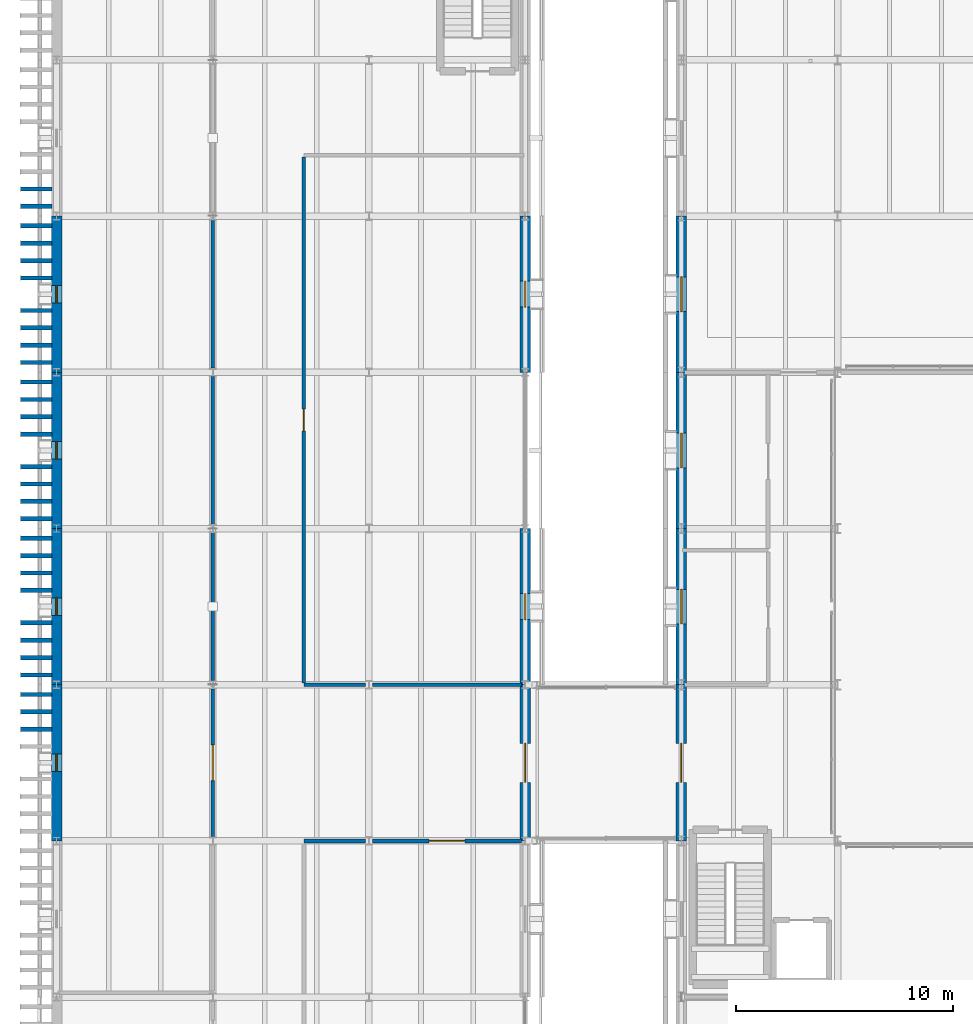
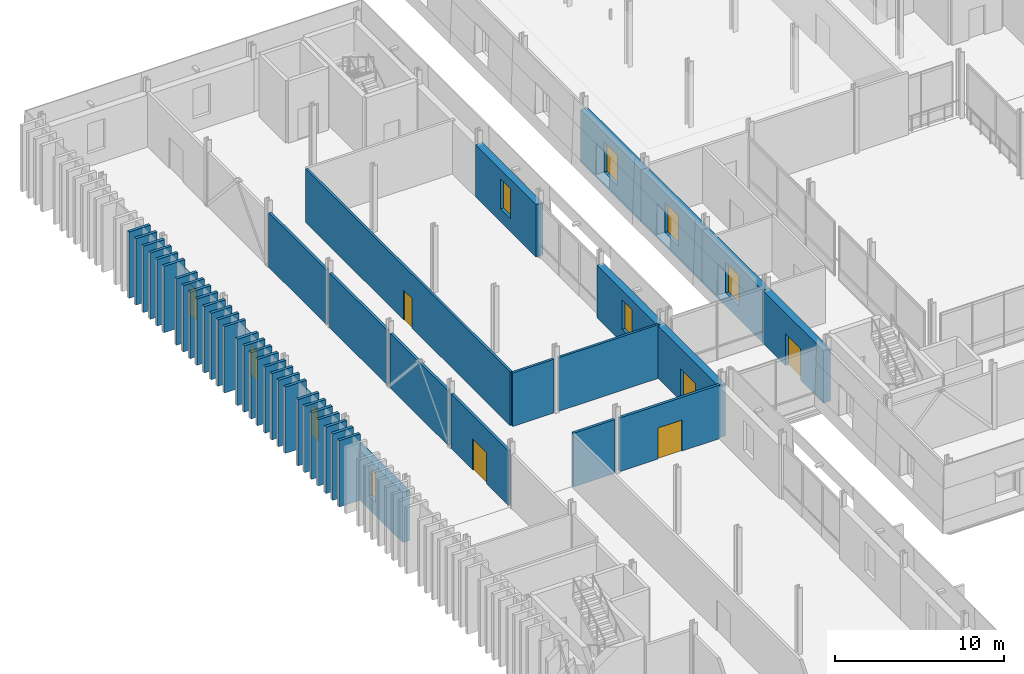
# One storey, part 80 of 121: 49 walls, 9 windows, 5 doors, 14 openings.
"""IFC4 building model written with IfcOpenShell, lengths in metres."""

from ifc_helpers import new_model, si_unit, direction, frame, frame_2d, origin, place, context, subcontext, project, spatial, rectangle, extrude, material, layer, layer_set, type_object, element, fill, save


model = new_model("IFC4")

# Units and contexts
model_context = context("Model", 3, precision=1e-05, world=origin(), true_north=direction((0.0, 1.0)))
body_context = subcontext(model_context, "Body", "Model", "MODEL_VIEW")
ifc_project = project(units=[si_unit("LENGTHUNIT", "METRE"), si_unit("AREAUNIT", "SQUARE_METRE"), si_unit("VOLUMEUNIT", "CUBIC_METRE"), si_unit("PLANEANGLEUNIT", "RADIAN"), si_unit("MASSUNIT", "GRAM", prefix="KILO")], contexts=[model_context])

# Site, building, storey
site_placement = place(None, origin())
site = spatial("IfcSite", under=ifc_project, at=site_placement, CompositionType="ELEMENT")
building_placement = place(site_placement, origin())
building = spatial("IfcBuilding", under=site, at=building_placement, Name="Narikvali Park Central Library", CompositionType="ELEMENT")
storey_placement = place(building_placement, frame((0.0, 0.0, 5.39990234375)))
storey = spatial("IfcBuildingStorey", under=building, at=storey_placement, Name="L01", CompositionType="ELEMENT", Elevation=5.39990234375)

# Walls
ifc_material_1 = material(Name="Kiln-Fired Terracotta Red Brick Masonry", Category="masonry")
ifc_layer_1 = layer(ifc_material_1, 0.199951171875, Name="Kiln-Fired Terracotta Red Brick Masonry")
ifc_layer_set_1 = layer_set([ifc_layer_1], Name="Kiln-Fired Terracotta Red Brick Masonry")
wall_type_1 = type_object("IfcWallType", Name="Kiln-Fired Red Brick Vertical Fin Wall 200", PredefinedType="SOLIDWALL", material=ifc_layer_set_1)
for number, where, z_axis, x_axis, name in (
    (1, (-1.659912109375, 69.949951171875, 0.0), (0.0, 0.0, 1.0), (1.0, 0.0, 0.0), "West Stacks Red Brick Vertical Fin Pier 248"),
    (2, (-1.659912109375, 70.75, 0.0), (0.0, 0.0, 1.0), (1.0, 0.0, 0.0), "West Stacks Red Brick Vertical Fin Pier 254"),
    (3, (-1.659912109375, 71.550048828125, 0.0), (0.0, 0.0, 1.0), (1.0, 0.0, 0.0), "West Stacks Red Brick Vertical Fin Pier 260"),
    (4, (-1.659912109375, 72.449951171875, 0.0), (0.0, 0.0, 1.0), (1.0, 0.0, 0.0), "West Stacks Red Brick Vertical Fin Pier 266"),
    (5, (-1.659912109375, 73.25, 0.0), (0.0, 0.0, 1.0), (1.0, 0.0, 0.0), "West Stacks Red Brick Vertical Fin Pier 272"),
    (6, (-1.659912109375, 74.050048828125, 0.0), (0.0, 0.0, 1.0), (1.0, 0.0, 0.0), "West Stacks Red Brick Vertical Fin Pier 278"),
    (7, (-1.659912109375, 74.85009765625, 0.0), (0.0, 0.0, 1.0), (1.0, 0.0, 0.0), "West Stacks Red Brick Vertical Fin Pier 284"),
    (8, (-1.659912109375, 76.35009765625, 0.0), (0.0, 0.0, 1.0), (1.0, 0.0, 0.0), "West Stacks Red Brick Vertical Fin Pier 290"),
    (9, (-1.659912109375, 77.14990234375, 0.0), (0.0, 0.0, 1.0), (1.0, 0.0, 0.0), "West Stacks Red Brick Vertical Fin Pier 296"),
    (10, (-1.659912109375, 77.949951171875, 0.0), (0.0, 0.0, 1.0), (1.0, 0.0, 0.0), "West Stacks Red Brick Vertical Fin Pier 302"),
    (11, (-1.659912109375, 78.75, 0.0), (0.0, 0.0, 1.0), (1.0, 0.0, 0.0), "West Stacks Red Brick Vertical Fin Pier 308"),
    (12, (-1.659912109375, 79.64990234375, 0.0), (0.0, 0.0, 1.0), (1.0, 0.0, 0.0), "West Stacks Red Brick Vertical Fin Pier 314"),
    (13, (-1.659912109375, 80.449951171875, 0.0), (0.0, 0.0, 1.0), (1.0, 0.0, 0.0), "West Stacks Red Brick Vertical Fin Pier 320"),
    (14, (-1.659912109375, 81.25, 0.0), (0.0, 0.0, 1.0), (1.0, 0.0, 0.0), "West Stacks Red Brick Vertical Fin Pier 326"),
    (15, (-1.659912109375, 82.050048828125, 0.0), (0.0, 0.0, 1.0), (1.0, 0.0, 0.0), "West Stacks Red Brick Vertical Fin Pier 332"),
    (16, (-1.659912109375, 83.550048828125, 0.0), (0.0, 0.0, 1.0), (1.0, 0.0, 0.0), "West Stacks Red Brick Vertical Fin Pier 338"),
    (17, (-1.659912109375, 84.35009765625, 0.0), (0.0, 0.0, 1.0), (1.0, 0.0, 0.0), "West Stacks Red Brick Vertical Fin Pier 344"),
    (18, (-1.659912109375, 85.14990234375, 0.0), (0.0, 0.0, 1.0), (1.0, 0.0, 0.0), "West Stacks Red Brick Vertical Fin Pier 350"),
    (19, (-1.659912109375, 85.949951171875, 0.0), (0.0, 0.0, 1.0), (1.0, 0.0, 0.0), "West Stacks Red Brick Vertical Fin Pier 356"),
    (20, (-1.659912109375, 86.85009765625, 0.0), (0.0, 0.0, 1.0), (1.0, 0.0, 0.0), "West Stacks Red Brick Vertical Fin Pier 362"),
    (21, (-1.659912109375, 87.64990234375, 0.0), (0.0, 0.0, 1.0), (1.0, 0.0, 0.0), "West Stacks Red Brick Vertical Fin Pier 368"),
    (22, (-1.659912109375, 88.449951171875, 0.0), (0.0, 0.0, 1.0), (1.0, 0.0, 0.0), "West Stacks Red Brick Vertical Fin Pier 374"),
    (23, (-1.659912109375, 89.25, 0.0), (0.0, 0.0, 1.0), (1.0, 0.0, 0.0), "West Stacks Red Brick Vertical Fin Pier 380"),
    (24, (-1.659912109375, 90.75, 0.0), (0.0, 0.0, 1.0), (1.0, 0.0, 0.0), "West Stacks Red Brick Vertical Fin Pier 386"),
    (25, (-1.659912109375, 91.550048828125, 0.0), (0.0, 0.0, 1.0), (1.0, 0.0, 0.0), "West Stacks Red Brick Vertical Fin Pier 392"),
    (26, (-1.659912109375, 92.35009765625, 0.0), (0.0, 0.0, 1.0), (1.0, 0.0, 0.0), "West Stacks Red Brick Vertical Fin Pier 398"),
    (27, (-1.659912109375, 93.14990234375, 0.0), (0.0, 0.0, 1.0), (1.0, 0.0, 0.0), "West Stacks Red Brick Vertical Fin Pier 404"),
    (28, (-1.659912109375, 94.050048828125, 0.0), (0.0, 0.0, 1.0), (1.0, 0.0, 0.0), "West Stacks Red Brick Vertical Fin Pier 410"),
    (29, (-1.659912109375, 94.85009765625, 0.0), (0.0, 0.0, 1.0), (1.0, 0.0, 0.0), "West Stacks Red Brick Vertical Fin Pier 416"),
):
    element("IfcWall", number, at=place(storey_placement, frame(where, z_axis=z_axis, x_axis=x_axis)), inside=storey, type_object=wall_type_1, Name=name, PredefinedType="SOLIDWALL", context=body_context, shape_type="SweptSolid", body=[
        extrude(rectangle(XDim=1.43994140625, YDim=0.199951171875, at=frame_2d((0.719970703125, 0.0))), origin(), (0.0, 0.0, 1.0), 4.800048828125),
    ])
ifc_material_2 = material(Name="Acoustic Gypsum on Steel Studs", Category="steel")
ifc_layer_2 = layer(ifc_material_2, 0.179931640625, Name="Acoustic Gypsum on Steel Studs")
ifc_layer_set_2 = layer_set([ifc_layer_2], Name="Acoustic Gypsum on Steel Studs")
wall_type_2 = type_object("IfcWallType", Name="Reading Room Acoustic Partition 180", PredefinedType="PARTITIONING", material=ifc_layer_set_2)
wall_1_placement = place(storey_placement, frame((11.39990234375, 64.800048828125, 0.0), z_axis=(0.0, 0.0, 1.0), x_axis=(1.0, 0.0, 0.0)))
element("IfcWall", 30, at=wall_1_placement, inside=storey, type_object=wall_type_2, Name="General Collection Open Book Stacks L01 Partition N", PredefinedType="PARTITIONING", context=body_context, shape_type="SweptSolid", body=[
    extrude(rectangle(XDim=2.841552734375, YDim=0.179931640625, at=frame_2d((1.4208984375, 0.0))), origin(), (0.0, 0.0, 1.0), 3.885009765625),
])

# Wall, opening, door
wall_2_placement = place(storey_placement, frame((14.55859375, 64.800048828125, 0.0), z_axis=(0.0, 0.0, 1.0), x_axis=(1.0, 0.0, 0.0)))
wall_2 = element("IfcWall", 31, at=wall_2_placement, inside=storey, type_object=wall_type_2, Name="General Collection Open Book Stacks L01 Partition N", PredefinedType="PARTITIONING", context=body_context, shape_type="SweptSolid", body=[
    extrude(rectangle(XDim=6.8828125, YDim=0.179931640625, at=frame_2d((3.44140625, 0.0))), origin(), (0.0, 0.0, 1.0), 3.885009765625),
])
opening_1_placement = place(wall_2_placement, frame((2.616455078125, 0.0, 0.0)))
opening_1 = element("IfcOpeningElement", 32, at=opening_1_placement, cuts=wall_2, Name="Opening ID-0120", PredefinedType="OPENING", context=body_context, shape_type="SweptSolid", body=[
    extrude(rectangle(XDim=1.64990234375, YDim=2.25, at=frame_2d((0.824951171875, 1.125))), frame((0.0, 0.10205078125, 0.0), z_axis=(0.0, -1.0, 0.0), x_axis=(1.0, 0.0, 0.0)), (0.0, 0.0, 1.0), 0.203857421875),
])
ifc_material_3 = material(Name="Caucasian Oak and Tempered Glass", Category="glass")
door_type_1 = type_object("IfcDoorType", Name="Open Stacks Double Glazed Door 1650x2250", OperationType="DOUBLE_DOOR_SINGLE_SWING", PredefinedType="DOOR", material=ifc_material_3)
door_1_placement = place(opening_1_placement, frame((1.64990234375, 0.0, 0.0), z_axis=(0.0, 0.0, 1.0), x_axis=(-1.0, 0.0, 0.0)))
door_1 = element("IfcDoor", 33, at=door_1_placement, inside=storey, type_object=door_type_1, Name="General Collection Open Book Stacks L01 Door ID-0120", OperationType="DOUBLE_DOOR_SINGLE_SWING", OverallHeight=2.25, OverallWidth=1.64990234375, PredefinedType="DOOR", context=body_context, shape_type="SweptSolid", body=[
    extrude(rectangle(XDim=1.64990234375, YDim=2.25, at=frame_2d((0.824951171875, 1.125))), frame((0.0, 0.02490234375, 0.0), z_axis=(0.0, -1.0, 0.0), x_axis=(1.0, 0.0, 0.0)), (0.0, 0.0, 1.0), 0.050048828125),
])
fill(opening_1, door_1)

wall_3_placement = place(storey_placement, frame((7.199951171875, 64.992431640625, 0.0), z_axis=(0.0, 0.0, 1.0), x_axis=(0.0, 1.0, 0.0)))
wall_3 = element("IfcWall", 34, at=wall_3_placement, inside=storey, type_object=wall_type_2, Name="Caucasus History Open Stacks L01 Partition E", PredefinedType="PARTITIONING", context=body_context, shape_type="SweptSolid", body=[
    extrude(rectangle(XDim=6.815185546875, YDim=0.179931640625, at=frame_2d((3.40771484375, 0.0))), origin(), (0.0, 0.0, 1.0), 3.945068359375),
])
opening_2_placement = place(wall_3_placement, frame((2.58251953125, 0.0, 0.0)))
opening_2 = element("IfcOpeningElement", 35, at=opening_2_placement, cuts=wall_3, Name="Opening ID-0122", PredefinedType="OPENING", context=body_context, shape_type="SweptSolid", body=[
    extrude(rectangle(XDim=1.64990234375, YDim=2.25, at=frame_2d((0.824951171875, 1.125))), frame((0.0, 0.10205078125, 0.0), z_axis=(0.0, -1.0, 0.0), x_axis=(1.0, 0.0, 0.0)), (0.0, 0.0, 1.0), 0.203857421875),
])
door_2_placement = place(opening_2_placement, origin())
door_2 = element("IfcDoor", 36, at=door_2_placement, inside=storey, type_object=door_type_1, Name="Caucasus History Open Stacks L01 Door ID-0122", OperationType="DOUBLE_DOOR_SINGLE_SWING", OverallHeight=2.25, OverallWidth=1.64990234375, PredefinedType="DOOR", context=body_context, shape_type="SweptSolid", body=[
    extrude(rectangle(XDim=1.64990234375, YDim=2.25, at=frame_2d((0.824951171875, 1.125))), frame((0.0, 0.02490234375, 0.0), z_axis=(0.0, -1.0, 0.0), x_axis=(1.0, 0.0, 0.0)), (0.0, 0.0, 1.0), 0.050048828125),
])
fill(opening_2, door_2)

# Walls
wall_4_placement = place(storey_placement, frame((7.199951171875, 72.1923828125, 0.0), z_axis=(0.0, 0.0, 1.0), x_axis=(0.0, 1.0, 0.0)))
element("IfcWall", 37, at=wall_4_placement, inside=storey, type_object=wall_type_2, Name="Caucasus History Open Stacks L01 Partition E", PredefinedType="PARTITIONING", context=body_context, shape_type="SweptSolid", body=[
    extrude(rectangle(XDim=6.815185546875, YDim=0.179931640625, at=frame_2d((3.40771484375, 0.0))), origin(), (0.0, 0.0, 1.0), 3.945068359375),
])
for number, where, z_axis, x_axis, name in (
    (38, (7.199951171875, 79.392578125, 0.0), (0.0, 0.0, 1.0), (0.0, 1.0, 0.0), "Caucasus History Open Stacks L01 Partition E"),
    (39, (7.199951171875, 86.592529296875, 0.0), (0.0, 0.0, 1.0), (0.0, 1.0, 0.0), "Caucasus History Open Stacks L01 Partition E"),
):
    element("IfcWall", number, at=place(storey_placement, frame(where, z_axis=z_axis, x_axis=x_axis)), inside=storey, type_object=wall_type_2, Name=name, PredefinedType="PARTITIONING", context=body_context, shape_type="SweptSolid", body=[
        extrude(rectangle(XDim=6.81494140625, YDim=0.179931640625, at=frame_2d((3.407470703125, 0.0))), origin(), (0.0, 0.0, 1.0), 3.945068359375),
    ])
ifc_material_4 = material(Name="Gypsum Board on Galvanised Steel Studs", Category="steel")
ifc_layer_3 = layer(ifc_material_4, 0.159912109375, Name="Gypsum Board on Galvanised Steel Studs")
ifc_layer_set_3 = layer_set([ifc_layer_3], Name="Gypsum Board on Galvanised Steel Studs")
wall_type_3 = type_object("IfcWallType", Name="Study Room Partition Wall 160", PredefinedType="PARTITIONING", material=ifc_layer_set_3)
wall_5_placement = place(storey_placement, frame((11.39990234375, 72.0, 0.0), z_axis=(0.0, 0.0, 1.0), x_axis=(1.0, 0.0, 0.0)))
element("IfcWall", 40, at=wall_5_placement, inside=storey, type_object=wall_type_3, Name="Quiet Study Carrels L01 Partition S", PredefinedType="PARTITIONING", context=body_context, shape_type="SweptSolid", body=[
    extrude(rectangle(XDim=2.841552734375, YDim=0.159912109375, at=frame_2d((1.4208984375, 0.0))), origin(), (0.0, 0.0, 1.0), 3.885009765625),
])
wall_6_placement = place(storey_placement, frame((14.55859375, 72.0, 0.0), z_axis=(0.0, 0.0, 1.0), x_axis=(1.0, 0.0, 0.0)))
element("IfcWall", 41, at=wall_6_placement, inside=storey, type_object=wall_type_3, Name="Quiet Study Carrels L01 Partition S", PredefinedType="PARTITIONING", context=body_context, shape_type="SweptSolid", body=[
    extrude(rectangle(XDim=6.8828125, YDim=0.159912109375, at=frame_2d((3.44140625, 0.0))), origin(), (0.0, 0.0, 1.0), 3.885009765625),
])

# Wall, opening, door
wall_7_placement = place(storey_placement, frame((11.39990234375, 72.08203125, 0.0), z_axis=(0.0, 0.0, 1.0), x_axis=(0.0, 1.0, 0.0)))
wall_7 = element("IfcWall", 42, at=wall_7_placement, inside=storey, type_object=wall_type_3, Name="Quiet Study Carrels L01 Partition W", PredefinedType="PARTITIONING", context=body_context, shape_type="SweptSolid", body=[
    extrude(rectangle(XDim=24.236083984375, YDim=0.159912109375, at=frame_2d((12.1181640625, 0.0))), origin(), (0.0, 0.0, 1.0), 3.885009765625),
])
opening_3_placement = place(wall_7_placement, frame((11.617919921875, 0.0, 0.0)))
opening_3 = element("IfcOpeningElement", 43, at=opening_3_placement, cuts=wall_7, Name="Opening ID-0117", PredefinedType="OPENING", context=body_context, shape_type="SweptSolid", body=[
    extrude(rectangle(XDim=1.0, YDim=2.14990234375, at=frame_2d((0.5, 1.074951171875))), frame((0.0, 0.091796875, 0.0), z_axis=(0.0, -1.0, 0.0), x_axis=(1.0, 0.0, 0.0)), (0.0, 0.0, 1.0), 0.183837890625),
])
ifc_material_5 = material(Name="Solid Caucasian Oak")
door_type_2 = type_object("IfcDoorType", Name="Study Room Single Oak Door 1000x2150", OperationType="SINGLE_SWING_LEFT", PredefinedType="DOOR", material=ifc_material_5)
door_3_placement = place(opening_3_placement, frame((1.0, 0.0, 0.0), z_axis=(0.0, 0.0, 1.0), x_axis=(-1.0, 0.0, 0.0)))
door_3 = element("IfcDoor", 44, at=door_3_placement, inside=storey, type_object=door_type_2, Name="Quiet Study Carrels L01 Door ID-0117", OperationType="SINGLE_SWING_LEFT", OverallHeight=2.14990234375, OverallWidth=1.0, PredefinedType="DOOR", context=body_context, shape_type="SweptSolid", body=[
    extrude(rectangle(XDim=1.0, YDim=2.14990234375, at=frame_2d((0.5, 1.074951171875))), frame((0.0, 0.02490234375, 0.0), z_axis=(0.0, -1.0, 0.0), x_axis=(1.0, 0.0, 0.0)), (0.0, 0.0, 1.0), 0.050048828125),
])
fill(opening_3, door_3)

# Wall, opening, window
ifc_material_6 = material(Name="White Honed Limestone over Concrete C35/45", Category="masonry")
ifc_layer_4 = layer(ifc_material_6, 0.47998046875, Name="White Honed Limestone over Concrete C35/45")
ifc_layer_set_4 = layer_set([ifc_layer_4], Name="White Honed Limestone over Concrete C35/45")
wall_type_4 = type_object("IfcWallType", Name="White Limestone Battered Tier1 Wall 480", PredefinedType="SOLIDWALL", material=ifc_layer_set_4)
wall_8_placement = place(storey_placement, frame((28.800048828125, 93.60009765625, 0.0), z_axis=(0.0, 0.0, 1.0), x_axis=(0.0, -1.0, 0.0)))
wall_8 = element("IfcWall", 45, at=wall_8_placement, inside=storey, type_object=wall_type_4, Name="V4 L01 W Exterior Limestone Wall B04", PredefinedType="SOLIDWALL", context=body_context, shape_type="SweptSolid", body=[
    extrude(rectangle(XDim=7.2001953125, YDim=0.47998046875, at=frame_2d((3.60009765625, 0.0))), origin(), (0.0, 0.0, 1.0), 3.800048828125),
])
opening_4_placement = place(wall_8_placement, frame((2.800048828125, 0.0, 0.949951171875)))
opening_4 = element("IfcOpeningElement", 46, at=opening_4_placement, cuts=wall_8, Name="Opening WIN-0159", PredefinedType="OPENING", context=body_context, shape_type="SweptSolid", body=[
    extrude(rectangle(XDim=1.60009765625, YDim=2.199951171875, at=frame_2d((0.800048828125, 1.10009765625))), frame((0.0, 0.251953125, 0.0), z_axis=(0.0, -1.0, 0.0), x_axis=(1.0, 0.0, 0.0)), (0.0, 0.0, 1.0), 0.50390625),
])
ifc_material_7 = material(Name="Anodised Bronze Aluminium and Low-E Triple Glazing", Category="aluminium")
window_type_1 = type_object("IfcWindowType", Name="Atrium Reading Wing Classical Window 1600x2200", PartitioningType="DOUBLE_PANEL_VERTICAL", PredefinedType="WINDOW", material=ifc_material_7)
window_1_placement = place(opening_4_placement, origin())
window_1 = element("IfcWindow", 47, at=window_1_placement, inside=storey, type_object=window_type_1, Name="V4 L01 W Deep-Reveal Window WIN-0159", OverallHeight=2.199951171875, OverallWidth=1.60009765625, PartitioningType="SINGLE_PANEL", PredefinedType="WINDOW", context=body_context, shape_type="SweptSolid", body=[
    extrude(rectangle(XDim=1.60009765625, YDim=2.199951171875, at=frame_2d((0.800048828125, 1.10009765625))), frame((0.0, 0.030029296875, 0.0), z_axis=(0.0, -1.0, 0.0), x_axis=(1.0, 0.0, 0.0)), (0.0, 0.0, 1.0), 0.06005859375),
])
fill(opening_4, window_1)

wall_9_placement = place(storey_placement, frame((28.800048828125, 86.39990234375, 0.0), z_axis=(0.0, 0.0, 1.0), x_axis=(0.0, -1.0, 0.0)))
wall_9 = element("IfcWall", 48, at=wall_9_placement, inside=storey, type_object=wall_type_4, Name="V4 L01 W Exterior Limestone Wall B05", PredefinedType="SOLIDWALL", context=body_context, shape_type="SweptSolid", body=[
    extrude(rectangle(XDim=7.199951171875, YDim=0.47998046875, at=frame_2d((3.60009765625, 0.0))), origin(), (0.0, 0.0, 1.0), 3.800048828125),
])
opening_5_placement = place(wall_9_placement, frame((2.800048828125, 0.0, 0.949951171875)))
opening_5 = element("IfcOpeningElement", 49, at=opening_5_placement, cuts=wall_9, Name="Opening WIN-0160", PredefinedType="OPENING", context=body_context, shape_type="SweptSolid", body=[
    extrude(rectangle(XDim=1.60009765625, YDim=2.199951171875, at=frame_2d((0.800048828125, 1.10009765625))), frame((0.0, 0.251953125, 0.0), z_axis=(0.0, -1.0, 0.0), x_axis=(1.0, 0.0, 0.0)), (0.0, 0.0, 1.0), 0.50390625),
])
window_2_placement = place(opening_5_placement, origin())
window_2 = element("IfcWindow", 50, at=window_2_placement, inside=storey, type_object=window_type_1, Name="V4 L01 W Deep-Reveal Window WIN-0160", OverallHeight=2.199951171875, OverallWidth=1.60009765625, PartitioningType="SINGLE_PANEL", PredefinedType="WINDOW", context=body_context, shape_type="SweptSolid", body=[
    extrude(rectangle(XDim=1.60009765625, YDim=2.199951171875, at=frame_2d((0.800048828125, 1.10009765625))), frame((0.0, 0.030029296875, 0.0), z_axis=(0.0, -1.0, 0.0), x_axis=(1.0, 0.0, 0.0)), (0.0, 0.0, 1.0), 0.06005859375),
])
fill(opening_5, window_2)

wall_10_placement = place(storey_placement, frame((28.800048828125, 79.199951171875, 0.0), z_axis=(0.0, 0.0, 1.0), x_axis=(0.0, -1.0, 0.0)))
wall_10 = element("IfcWall", 51, at=wall_10_placement, inside=storey, type_object=wall_type_4, Name="V4 L01 W Exterior Limestone Wall B06", PredefinedType="SOLIDWALL", context=body_context, shape_type="SweptSolid", body=[
    extrude(rectangle(XDim=7.199951171875, YDim=0.47998046875, at=frame_2d((3.60009765625, 0.0))), origin(), (0.0, 0.0, 1.0), 3.800048828125),
])
opening_6_placement = place(wall_10_placement, frame((2.800048828125, 0.0, 0.949951171875)))
opening_6 = element("IfcOpeningElement", 52, at=opening_6_placement, cuts=wall_10, Name="Opening WIN-0161", PredefinedType="OPENING", context=body_context, shape_type="SweptSolid", body=[
    extrude(rectangle(XDim=1.60009765625, YDim=2.199951171875, at=frame_2d((0.800048828125, 1.10009765625))), frame((0.0, 0.251953125, 0.0), z_axis=(0.0, -1.0, 0.0), x_axis=(1.0, 0.0, 0.0)), (0.0, 0.0, 1.0), 0.50390625),
])
window_3_placement = place(opening_6_placement, origin())
window_3 = element("IfcWindow", 53, at=window_3_placement, inside=storey, type_object=window_type_1, Name="V4 L01 W Deep-Reveal Window WIN-0161", OverallHeight=2.199951171875, OverallWidth=1.60009765625, PartitioningType="SINGLE_PANEL", PredefinedType="WINDOW", context=body_context, shape_type="SweptSolid", body=[
    extrude(rectangle(XDim=1.60009765625, YDim=2.199951171875, at=frame_2d((0.800048828125, 1.10009765625))), frame((0.0, 0.030029296875, 0.0), z_axis=(0.0, -1.0, 0.0), x_axis=(1.0, 0.0, 0.0)), (0.0, 0.0, 1.0), 0.06005859375),
])
fill(opening_6, window_3)

# Wall, opening, door
wall_11_placement = place(storey_placement, frame((28.800048828125, 72.0, 0.0), z_axis=(0.0, 0.0, 1.0), x_axis=(0.0, -1.0, 0.0)))
wall_11 = element("IfcWall", 54, at=wall_11_placement, inside=storey, type_object=wall_type_4, Name="V4 L01 W Exterior Limestone Wall B07", PredefinedType="SOLIDWALL", context=body_context, shape_type="SweptSolid", body=[
    extrude(rectangle(XDim=7.199951171875, YDim=0.47998046875, at=frame_2d((3.60009765625, 0.0))), origin(), (0.0, 0.0, 1.0), 3.800048828125),
])
opening_7_placement = place(wall_11_placement, frame((2.699951171875, 0.0, 0.0)))
opening_7 = element("IfcOpeningElement", 55, at=opening_7_placement, cuts=wall_11, Name="Opening BD-033", PredefinedType="OPENING", context=body_context, shape_type="SweptSolid", body=[
    extrude(rectangle(XDim=1.800048828125, YDim=2.300048828125, at=frame_2d((0.89990234375, 1.14990234375))), frame((0.0, 0.251953125, 0.0), z_axis=(0.0, -1.0, 0.0), x_axis=(1.0, 0.0, 0.0)), (0.0, 0.0, 1.0), 0.50390625),
])
ifc_material_8 = material(Name="Fire-Rated Glazing in Steel S275 Frame", Category="steel")
door_type_3 = type_object("IfcDoorType", Name="Glazed Double Corridor Bridge Fire Door 1800x2300", OperationType="DOUBLE_DOOR_SINGLE_SWING", PredefinedType="DOOR", material=ifc_material_8)
door_4_placement = place(opening_7_placement, origin())
door_4 = element("IfcDoor", 56, at=door_4_placement, inside=storey, type_object=door_type_3, Name="V4 L01 Covered Bridge Fire Door BD-033", OperationType="DOUBLE_DOOR_SINGLE_SWING", OverallHeight=2.300048828125, OverallWidth=1.800048828125, PredefinedType="DOOR", context=body_context, shape_type="SweptSolid", body=[
    extrude(rectangle(XDim=1.800048828125, YDim=2.300048828125, at=frame_2d((0.89990234375, 1.14990234375))), frame((0.0, 0.02490234375, 0.0), z_axis=(0.0, -1.0, 0.0), x_axis=(1.0, 0.0, 0.0)), (0.0, 0.0, 1.0), 0.050048828125),
])
fill(opening_7, door_4)

wall_12_placement = place(storey_placement, frame((21.60009765625, 64.800048828125, 0.0), z_axis=(0.0, 0.0, 1.0), x_axis=(0.0, 1.0, 0.0)))
wall_12 = element("IfcWall", 57, at=wall_12_placement, inside=storey, type_object=wall_type_4, Name="V5 L01 E Exterior Limestone Wall B06", PredefinedType="SOLIDWALL", context=body_context, shape_type="SweptSolid", body=[
    extrude(rectangle(XDim=7.199951171875, YDim=0.47998046875, at=frame_2d((3.60009765625, 0.0))), origin(), (0.0, 0.0, 1.0), 3.780029296875),
])
opening_8_placement = place(wall_12_placement, frame((2.699951171875, 0.0, 0.0)))
opening_8 = element("IfcOpeningElement", 58, at=opening_8_placement, cuts=wall_12, Name="Opening BD-043", PredefinedType="OPENING", context=body_context, shape_type="SweptSolid", body=[
    extrude(rectangle(XDim=1.800048828125, YDim=2.300048828125, at=frame_2d((0.89990234375, 1.14990234375))), frame((0.0, 0.251953125, 0.0), z_axis=(0.0, -1.0, 0.0), x_axis=(1.0, 0.0, 0.0)), (0.0, 0.0, 1.0), 0.50390625),
])
door_5_placement = place(opening_8_placement, origin())
door_5 = element("IfcDoor", 59, at=door_5_placement, inside=storey, type_object=door_type_3, Name="V5 L01 Covered Bridge Fire Door BD-043", OperationType="DOUBLE_DOOR_SINGLE_SWING", OverallHeight=2.300048828125, OverallWidth=1.800048828125, PredefinedType="DOOR", context=body_context, shape_type="SweptSolid", body=[
    extrude(rectangle(XDim=1.800048828125, YDim=2.300048828125, at=frame_2d((0.89990234375, 1.14990234375))), frame((0.0, 0.02490234375, 0.0), z_axis=(0.0, -1.0, 0.0), x_axis=(1.0, 0.0, 0.0)), (0.0, 0.0, 1.0), 0.050048828125),
])
fill(opening_8, door_5)

# Wall, opening, window
wall_13_placement = place(storey_placement, frame((21.60009765625, 72.0, 0.0), z_axis=(0.0, 0.0, 1.0), x_axis=(0.0, 1.0, 0.0)))
wall_13 = element("IfcWall", 60, at=wall_13_placement, inside=storey, type_object=wall_type_4, Name="V5 L01 E Exterior Limestone Wall B07", PredefinedType="SOLIDWALL", context=body_context, shape_type="SweptSolid", body=[
    extrude(rectangle(XDim=7.199951171875, YDim=0.47998046875, at=frame_2d((3.60009765625, 0.0))), origin(), (0.0, 0.0, 1.0), 3.780029296875),
])
opening_9_placement = place(wall_13_placement, frame((3.0, 0.0, 0.949951171875)))
opening_9 = element("IfcOpeningElement", 61, at=opening_9_placement, cuts=wall_13, Name="Opening WIN-0247", PredefinedType="OPENING", context=body_context, shape_type="SweptSolid", body=[
    extrude(rectangle(XDim=1.199951171875, YDim=2.14990234375, at=frame_2d((0.60009765625, 1.074951171875))), frame((0.0, 0.251953125, 0.0), z_axis=(0.0, -1.0, 0.0), x_axis=(1.0, 0.0, 0.0)), (0.0, 0.0, 1.0), 0.50390625),
])
window_type_2 = type_object("IfcWindowType", Name="Stacks Archive Deep-Reveal Punched Window 1200x2150", PartitioningType="SINGLE_PANEL", PredefinedType="WINDOW", material=ifc_material_7)
window_4_placement = place(opening_9_placement, origin())
window_4 = element("IfcWindow", 62, at=window_4_placement, inside=storey, type_object=window_type_2, Name="V5 L01 E Deep-Reveal Window WIN-0247", OverallHeight=2.14990234375, OverallWidth=1.199951171875, PartitioningType="SINGLE_PANEL", PredefinedType="WINDOW", context=body_context, shape_type="SweptSolid", body=[
    extrude(rectangle(XDim=1.199951171875, YDim=2.14990234375, at=frame_2d((0.60009765625, 1.074951171875))), frame((0.0, 0.030029296875, 0.0), z_axis=(0.0, -1.0, 0.0), x_axis=(1.0, 0.0, 0.0)), (0.0, 0.0, 1.0), 0.06005859375),
])
fill(opening_9, window_4)

wall_14_placement = place(storey_placement, frame((21.60009765625, 86.39990234375, 0.0), z_axis=(0.0, 0.0, 1.0), x_axis=(0.0, 1.0, 0.0)))
wall_14 = element("IfcWall", 63, at=wall_14_placement, inside=storey, type_object=wall_type_4, Name="V5 L01 E Exterior Limestone Wall B09", PredefinedType="SOLIDWALL", context=body_context, shape_type="SweptSolid", body=[
    extrude(rectangle(XDim=7.2001953125, YDim=0.47998046875, at=frame_2d((3.60009765625, 0.0))), origin(), (0.0, 0.0, 1.0), 3.780029296875),
])
opening_10_placement = place(wall_14_placement, frame((3.0, 0.0, 0.949951171875)))
opening_10 = element("IfcOpeningElement", 64, at=opening_10_placement, cuts=wall_14, Name="Opening WIN-0248", PredefinedType="OPENING", context=body_context, shape_type="SweptSolid", body=[
    extrude(rectangle(XDim=1.199951171875, YDim=2.14990234375, at=frame_2d((0.60009765625, 1.074951171875))), frame((0.0, 0.251953125, 0.0), z_axis=(0.0, -1.0, 0.0), x_axis=(1.0, 0.0, 0.0)), (0.0, 0.0, 1.0), 0.50390625),
])
window_5_placement = place(opening_10_placement, origin())
window_5 = element("IfcWindow", 65, at=window_5_placement, inside=storey, type_object=window_type_2, Name="V5 L01 E Deep-Reveal Window WIN-0248", OverallHeight=2.14990234375, OverallWidth=1.199951171875, PartitioningType="SINGLE_PANEL", PredefinedType="WINDOW", context=body_context, shape_type="SweptSolid", body=[
    extrude(rectangle(XDim=1.199951171875, YDim=2.14990234375, at=frame_2d((0.60009765625, 1.074951171875))), frame((0.0, 0.030029296875, 0.0), z_axis=(0.0, -1.0, 0.0), x_axis=(1.0, 0.0, 0.0)), (0.0, 0.0, 1.0), 0.06005859375),
])
fill(opening_10, window_5)

wall_15_placement = place(storey_placement, frame((0.0, 93.60009765625, 0.0), z_axis=(0.0, 0.0, 1.0), x_axis=(0.0, -1.0, 0.0)))
wall_15 = element("IfcWall", 66, at=wall_15_placement, inside=storey, type_object=wall_type_4, Name="V5 L01 W Exterior Limestone Wall B03", PredefinedType="SOLIDWALL", context=body_context, shape_type="SweptSolid", body=[
    extrude(rectangle(XDim=7.2001953125, YDim=0.47998046875, at=frame_2d((3.60009765625, 0.0))), origin(), (0.0, 0.0, 1.0), 3.6201171875),
])
opening_11_placement = place(wall_15_placement, frame((3.199951171875, 0.0, 0.949951171875)))
opening_11 = element("IfcOpeningElement", 67, at=opening_11_placement, cuts=wall_15, Name="Opening WIN-0254", PredefinedType="OPENING", context=body_context, shape_type="SweptSolid", body=[
    extrude(rectangle(XDim=0.800048828125, YDim=2.14990234375, at=frame_2d((0.39990234375, 1.074951171875))), frame((0.0, 0.251953125, 0.0), z_axis=(0.0, -1.0, 0.0), x_axis=(1.0, 0.0, 0.0)), (0.0, 0.0, 1.0), 0.50390625),
])
window_type_3 = type_object("IfcWindowType", Name="West Fin-Bay Narrow Carrel Slot Window 800x2150", PartitioningType="SINGLE_PANEL", PredefinedType="WINDOW", material=ifc_material_7)
window_6_placement = place(opening_11_placement, origin())
window_6 = element("IfcWindow", 68, at=window_6_placement, inside=storey, type_object=window_type_3, Name="V5 L01 W Deep-Reveal Window WIN-0254", OverallHeight=2.14990234375, OverallWidth=0.800048828125, PartitioningType="SINGLE_PANEL", PredefinedType="WINDOW", context=body_context, shape_type="SweptSolid", body=[
    extrude(rectangle(XDim=0.800048828125, YDim=2.14990234375, at=frame_2d((0.39990234375, 1.074951171875))), frame((0.0, 0.030029296875, 0.0), z_axis=(0.0, -1.0, 0.0), x_axis=(1.0, 0.0, 0.0)), (0.0, 0.0, 1.0), 0.06005859375),
])
fill(opening_11, window_6)

wall_16_placement = place(storey_placement, frame((0.0, 86.39990234375, 0.0), z_axis=(0.0, 0.0, 1.0), x_axis=(0.0, -1.0, 0.0)))
wall_16 = element("IfcWall", 69, at=wall_16_placement, inside=storey, type_object=wall_type_4, Name="V5 L01 W Exterior Limestone Wall B04", PredefinedType="SOLIDWALL", context=body_context, shape_type="SweptSolid", body=[
    extrude(rectangle(XDim=7.199951171875, YDim=0.47998046875, at=frame_2d((3.60009765625, 0.0))), origin(), (0.0, 0.0, 1.0), 3.6201171875),
])
opening_12_placement = place(wall_16_placement, frame((3.199951171875, 0.0, 0.949951171875)))
opening_12 = element("IfcOpeningElement", 70, at=opening_12_placement, cuts=wall_16, Name="Opening WIN-0255", PredefinedType="OPENING", context=body_context, shape_type="SweptSolid", body=[
    extrude(rectangle(XDim=0.800048828125, YDim=2.14990234375, at=frame_2d((0.39990234375, 1.074951171875))), frame((0.0, 0.251953125, 0.0), z_axis=(0.0, -1.0, 0.0), x_axis=(1.0, 0.0, 0.0)), (0.0, 0.0, 1.0), 0.50390625),
])
window_7_placement = place(opening_12_placement, origin())
window_7 = element("IfcWindow", 71, at=window_7_placement, inside=storey, type_object=window_type_3, Name="V5 L01 W Deep-Reveal Window WIN-0255", OverallHeight=2.14990234375, OverallWidth=0.800048828125, PartitioningType="SINGLE_PANEL", PredefinedType="WINDOW", context=body_context, shape_type="SweptSolid", body=[
    extrude(rectangle(XDim=0.800048828125, YDim=2.14990234375, at=frame_2d((0.39990234375, 1.074951171875))), frame((0.0, 0.030029296875, 0.0), z_axis=(0.0, -1.0, 0.0), x_axis=(1.0, 0.0, 0.0)), (0.0, 0.0, 1.0), 0.06005859375),
])
fill(opening_12, window_7)

wall_17_placement = place(storey_placement, frame((0.0, 79.199951171875, 0.0), z_axis=(0.0, 0.0, 1.0), x_axis=(0.0, -1.0, 0.0)))
wall_17 = element("IfcWall", 72, at=wall_17_placement, inside=storey, type_object=wall_type_4, Name="V5 L01 W Exterior Limestone Wall B05", PredefinedType="SOLIDWALL", context=body_context, shape_type="SweptSolid", body=[
    extrude(rectangle(XDim=7.199951171875, YDim=0.47998046875, at=frame_2d((3.60009765625, 0.0))), origin(), (0.0, 0.0, 1.0), 3.6201171875),
])
opening_13_placement = place(wall_17_placement, frame((3.199951171875, 0.0, 0.949951171875)))
opening_13 = element("IfcOpeningElement", 73, at=opening_13_placement, cuts=wall_17, Name="Opening WIN-0256", PredefinedType="OPENING", context=body_context, shape_type="SweptSolid", body=[
    extrude(rectangle(XDim=0.800048828125, YDim=2.14990234375, at=frame_2d((0.39990234375, 1.074951171875))), frame((0.0, 0.251953125, 0.0), z_axis=(0.0, -1.0, 0.0), x_axis=(1.0, 0.0, 0.0)), (0.0, 0.0, 1.0), 0.50390625),
])
window_8_placement = place(opening_13_placement, origin())
window_8 = element("IfcWindow", 74, at=window_8_placement, inside=storey, type_object=window_type_3, Name="V5 L01 W Deep-Reveal Window WIN-0256", OverallHeight=2.14990234375, OverallWidth=0.800048828125, PartitioningType="SINGLE_PANEL", PredefinedType="WINDOW", context=body_context, shape_type="SweptSolid", body=[
    extrude(rectangle(XDim=0.800048828125, YDim=2.14990234375, at=frame_2d((0.39990234375, 1.074951171875))), frame((0.0, 0.030029296875, 0.0), z_axis=(0.0, -1.0, 0.0), x_axis=(1.0, 0.0, 0.0)), (0.0, 0.0, 1.0), 0.06005859375),
])
fill(opening_13, window_8)

wall_18_placement = place(storey_placement, frame((0.0, 72.0, 0.0), z_axis=(0.0, 0.0, 1.0), x_axis=(0.0, -1.0, 0.0)))
wall_18 = element("IfcWall", 75, at=wall_18_placement, inside=storey, type_object=wall_type_4, Name="V5 L01 W Exterior Limestone Wall B06", PredefinedType="SOLIDWALL", context=body_context, shape_type="SweptSolid", body=[
    extrude(rectangle(XDim=7.199951171875, YDim=0.47998046875, at=frame_2d((3.60009765625, 0.0))), origin(), (0.0, 0.0, 1.0), 3.6201171875),
])
opening_14_placement = place(wall_18_placement, frame((3.199951171875, 0.0, 0.949951171875)))
opening_14 = element("IfcOpeningElement", 76, at=opening_14_placement, cuts=wall_18, Name="Opening WIN-0257", PredefinedType="OPENING", context=body_context, shape_type="SweptSolid", body=[
    extrude(rectangle(XDim=0.800048828125, YDim=2.14990234375, at=frame_2d((0.39990234375, 1.074951171875))), frame((0.0, 0.251953125, 0.0), z_axis=(0.0, -1.0, 0.0), x_axis=(1.0, 0.0, 0.0)), (0.0, 0.0, 1.0), 0.50390625),
])
window_9_placement = place(opening_14_placement, origin())
window_9 = element("IfcWindow", 77, at=window_9_placement, inside=storey, type_object=window_type_3, Name="V5 L01 W Deep-Reveal Window WIN-0257", OverallHeight=2.14990234375, OverallWidth=0.800048828125, PartitioningType="SINGLE_PANEL", PredefinedType="WINDOW", context=body_context, shape_type="SweptSolid", body=[
    extrude(rectangle(XDim=0.800048828125, YDim=2.14990234375, at=frame_2d((0.39990234375, 1.074951171875))), frame((0.0, 0.030029296875, 0.0), z_axis=(0.0, -1.0, 0.0), x_axis=(1.0, 0.0, 0.0)), (0.0, 0.0, 1.0), 0.06005859375),
])
fill(opening_14, window_9)

save(model, "model.ifc")
